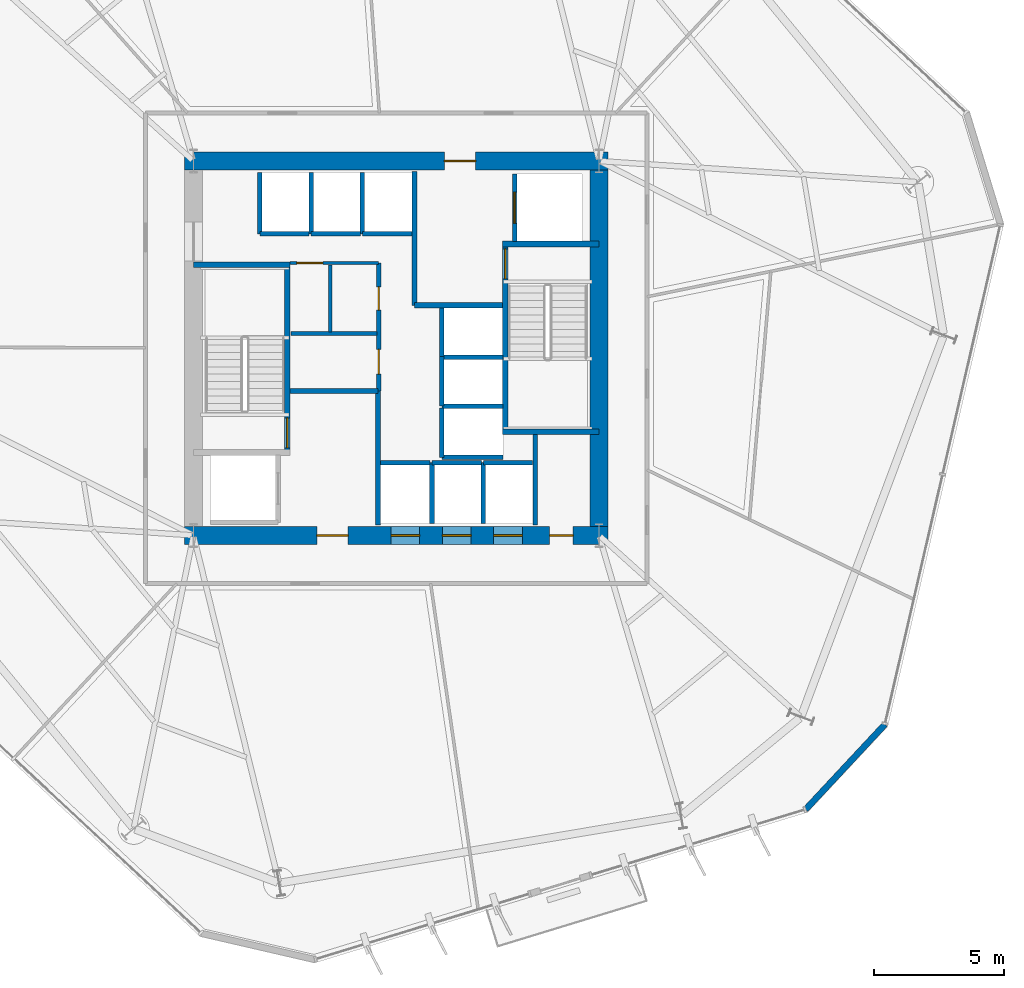
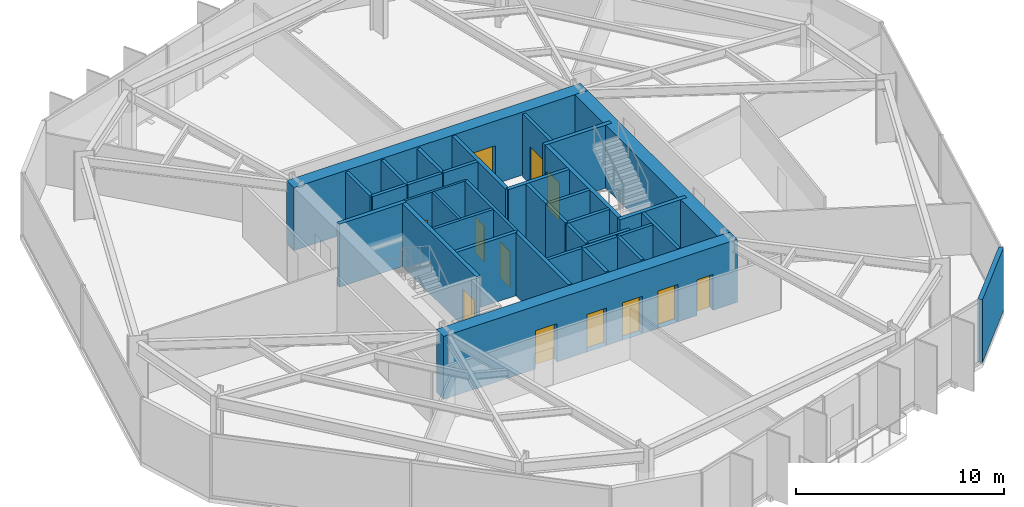
# One storey, part 6 of 9: 36 walls, 12 doors, 12 openings.
"""IFC4 building model written with IfcOpenShell, lengths in metres."""

import ifcopenshell
import ifcopenshell.guid

model = None  # the IFC model being written
_history = None  # IfcOwnerHistory: only IFC2X3 demands one
_inside = {}  # id of a spatial element -> (the spatial element, [elements in it])
_under = {}  # id of a project, library or spatial element -> (it, [spatial elements below it])
_declared = {}  # id of a project -> (the project, [libraries it declares])
_typed = {}  # id of a type object -> (the type object, [elements of that type])
_made_of = {}  # id of a material, layer set ... -> (it, [elements and type objects made of it])


def new_model(schema):
    """Start an empty IFC model of exactly this schema.

    Asked for "IFC4X3", IfcOpenShell would pick the latest addendum, in which some entities
    have other attributes; the version numbers below select the first issue.
    IFC2X3 requires an IfcOwnerHistory on every rooted entity: one is made here for all.
    """
    global model, _history
    if schema == "IFC4X3":
        model = ifcopenshell.file(schema_version=(4, 3, 0, 0))
    else:
        model = ifcopenshell.file(schema=schema)
    _inside.clear()
    _under.clear()
    _declared.clear()
    _typed.clear()
    _made_of.clear()
    _history = None
    if model.schema == "IFC2X3":
        org = make("IfcOrganization", Name="unknown")
        user = make(
            "IfcPersonAndOrganization",
            ThePerson=make("IfcPerson", FamilyName="unknown"),
            TheOrganization=org,
        )
        app = make(
            "IfcApplication",
            ApplicationDeveloper=org,
            Version="unknown",
            ApplicationFullName="unknown",
            ApplicationIdentifier="unknown",
        )
        _history = make(
            "IfcOwnerHistory",
            OwningUser=user,
            OwningApplication=app,
            ChangeAction="ADDED",
            CreationDate=0,
        )
    return model


def make(cls, **values):
    """One entity of the class cls with the attributes given. An attribute that is None is left unset."""
    return model.create_entity(
        cls, **{name: value for name, value in values.items() if value is not None}
    )


def rooted(cls, **values):
    """An entity with a GlobalId (a new one), such as an element, a storey or a relation."""
    return make(cls, GlobalId=ifcopenshell.guid.new(), OwnerHistory=_history, **values)


def si_unit(unit_type, name, prefix=None):
    """IfcSIUnit, for example si_unit("LENGTHUNIT", "METRE", prefix="MILLI")."""
    return make("IfcSIUnit", UnitType=unit_type, Prefix=prefix, Name=name)


def assignment(units):
    """IfcUnitAssignment: the units of a project."""
    return None if units is None else make("IfcUnitAssignment", Units=units)


def point(xyz):
    """IfcCartesianPoint."""
    return None if xyz is None else make("IfcCartesianPoint", Coordinates=xyz)


def direction(xyz):
    """IfcDirection."""
    return None if xyz is None else make("IfcDirection", DirectionRatios=xyz)


def frame(location, z_axis=None, x_axis=None):
    """IfcAxis2Placement3D, a coordinate frame: its origin and axes. An axis left out is left unset."""
    return make(
        "IfcAxis2Placement3D",
        Location=point(location),
        Axis=direction(z_axis),
        RefDirection=direction(x_axis),
    )


def frame_2d(location, x_axis=None):
    """IfcAxis2Placement2D, a coordinate frame in the plane: its origin and x axis."""
    return make(
        "IfcAxis2Placement2D", Location=point(location), RefDirection=direction(x_axis)
    )


def origin():
    """The frame at (0, 0, 0) with its axes left unset."""
    return frame((0.0, 0.0, 0.0))


def place(relative_to, where):
    """IfcLocalPlacement: puts the frame where relative to a parent placement (None: the world)."""
    return make(
        "IfcLocalPlacement", PlacementRelTo=relative_to, RelativePlacement=where
    )


def context(
    kind, dimensions, precision=None, world=None, true_north=None, identifier=None
):
    """IfcGeometricRepresentationContext, for example the 3D "Model" context."""
    return make(
        "IfcGeometricRepresentationContext",
        ContextIdentifier=identifier,
        ContextType=kind,
        CoordinateSpaceDimension=dimensions,
        Precision=precision,
        WorldCoordinateSystem=world,
        TrueNorth=true_north,
    )


def subcontext(parent, identifier, kind, view, scale=None):
    """IfcGeometricRepresentationSubContext, for example "Body" below "Model"."""
    return make(
        "IfcGeometricRepresentationSubContext",
        ContextIdentifier=identifier,
        ContextType=kind,
        ParentContext=parent,
        TargetScale=scale,
        TargetView=view,
    )


def project(units=None, contexts=None):
    """IfcProject with its units and contexts."""
    return rooted(
        "IfcProject",
        Name="project",
        RepresentationContexts=contexts,
        UnitsInContext=assignment(units),
    )


def spatial(cls, under=None, at=None, **own):
    """A site, building, storey or space (cls), placed at a placement, below another one or the project."""
    s = rooted(cls, ObjectPlacement=at, **own)
    if under is not None:
        _under.setdefault(under.id(), (under, []))[1].append(s)
    return s


def profile(cls, at=None, kind="AREA", **sizes):
    """A parametric profile (cls). Its sizes go by their IFC names, for example OverallWidth=200.0."""
    return make(cls, ProfileType=kind, Position=at, **sizes)


def rectangle(**sizes):
    """IfcRectangleProfileDef."""
    return profile("IfcRectangleProfileDef", **sizes)


def extrude(swept, where, along, depth):
    """IfcExtrudedAreaSolid: the profile swept, set in the frame where, extruded along a direction by depth."""
    return make(
        "IfcExtrudedAreaSolid",
        SweptArea=swept,
        Position=where,
        ExtrudedDirection=direction(along),
        Depth=depth,
    )


def shape(context_of_items, identifier, shape_type, items):
    """IfcShapeRepresentation: the items that make up one representation, for example the "Body"."""
    return make(
        "IfcShapeRepresentation",
        ContextOfItems=context_of_items,
        RepresentationIdentifier=identifier,
        RepresentationType=shape_type,
        Items=items,
    )


def material(Name=None, Category=None):
    """IfcMaterial."""
    return make("IfcMaterial", Name=Name, Category=Category)


def layer(
    of_material, thickness, ventilated=None, Name=None, Category=None, Priority=None
):
    """IfcMaterialLayer: one layer of a wall or slab, of a material (None: an air gap)."""
    return make(
        "IfcMaterialLayer",
        Material=of_material,
        LayerThickness=thickness,
        IsVentilated=ventilated,
        Name=Name,
        Category=Category,
        Priority=Priority,
    )


def layer_set(layers, Name=None):
    """IfcMaterialLayerSet."""
    return make("IfcMaterialLayerSet", MaterialLayers=layers, LayerSetName=Name)


def made_of(thing, what):
    """Note that an element or type object is made of a material, layer set ...; save() writes the relation."""
    if what is not None:
        _made_of.setdefault(what.id(), (what, []))[1].append(thing)
    return thing


def type_object(cls, material=None, **own):
    """A type object (cls), such as IfcWallType, which elements share."""
    return made_of(rooted(cls, **own), material)


def element(
    cls,
    number,
    at=None,
    inside=None,
    cuts=None,
    type_object=None,
    material=None,
    context=None,
    identifier="Body",
    shape_type=None,
    held_by="IfcProductDefinitionShape",
    body=None,
    shapes=None,
    **own,
):
    """One element of the class cls, such as IfcWall. Its Tag is "e" and its number.

    at: its placement. inside: the storey or other place that contains it. cuts: it is an
    opening in that element (IfcRelVoidsElement). A single representation is given by context,
    identifier, shape_type and body (its items); several are given by shapes. held_by: the class
    of the entity that holds the representations. save() writes the other relations.
    """
    e = rooted(cls, Tag="e%d" % number, ObjectPlacement=at, **own)
    if body is not None:
        shapes = [shape(context, identifier, shape_type, body)]
    if shapes is not None:
        e.Representation = make(held_by, Representations=shapes)
    if inside is not None:
        _inside.setdefault(inside.id(), (inside, []))[1].append(e)
    if cuts is not None:
        rooted(
            "IfcRelVoidsElement", RelatingBuildingElement=cuts, RelatedOpeningElement=e
        )
    if type_object is not None:
        _typed.setdefault(type_object.id(), (type_object, []))[1].append(e)
    return made_of(e, material)


def fill(opening, filler):
    """IfcRelFillsElement: the door or window that sits in an opening."""
    return rooted(
        "IfcRelFillsElement",
        RelatingOpeningElement=opening,
        RelatedBuildingElement=filler,
    )


def aggregate(whole, parts):
    """IfcRelAggregates: a whole, such as a stair, and the parts it consists of."""
    return rooted("IfcRelAggregates", RelatingObject=whole, RelatedObjects=parts)


def save(model, path):
    """Write the relations noted so far, then the file.

    IfcRelAggregates (storeys below a building ...), IfcRelContainedInSpatialStructure (elements
    in a storey), IfcRelDefinesByType, IfcRelAssociatesMaterial and IfcRelDeclares: one each for
    every whole, place, type object, material and project.
    """
    for whole, parts in _under.values():
        aggregate(whole, parts)
    for where, things in _inside.values():
        rooted(
            "IfcRelContainedInSpatialStructure",
            RelatedElements=things,
            RelatingStructure=where,
        )
    for kind, things in _typed.values():
        rooted("IfcRelDefinesByType", RelatedObjects=things, RelatingType=kind)
    for what, things in _made_of.values():
        rooted("IfcRelAssociatesMaterial", RelatedObjects=things, RelatingMaterial=what)
    for by, libraries in _declared.values():
        rooted("IfcRelDeclares", RelatingContext=by, RelatedDefinitions=libraries)
    model.write(path)


model = new_model("IFC4")

# Units and contexts
model_context = context("Model", 3, precision=1e-05, world=origin(), true_north=direction((0.0, 1.0)))
body_context = subcontext(model_context, "Body", "Model", "MODEL_VIEW")
ifc_project = project(units=[si_unit("LENGTHUNIT", "METRE"), si_unit("AREAUNIT", "SQUARE_METRE"), si_unit("VOLUMEUNIT", "CUBIC_METRE"), si_unit("PLANEANGLEUNIT", "RADIAN"), si_unit("MASSUNIT", "GRAM", prefix="KILO")], contexts=[model_context])

# Site, building, storey
site_placement = place(None, origin())
site = spatial("IfcSite", under=ifc_project, at=site_placement, CompositionType="ELEMENT")
building_placement = place(site_placement, origin())
building = spatial("IfcBuilding", under=site, at=building_placement, Name="Kranzbogen Civic Tower", CompositionType="ELEMENT")
storey_placement = place(building_placement, frame((0.0, 0.0, 88.0)))
storey = spatial("IfcBuildingStorey", under=building, at=storey_placement, Name="L21", CompositionType="ELEMENT", Elevation=88.0)

# Wall, opening, door
ifc_material_1 = material(Name="Insulated Metal-Stud Gypsum Partition")
ifc_layer_1 = layer(ifc_material_1, 0.125, Name="Insulated Metal-Stud Gypsum Partition")
ifc_layer_set_1 = layer_set([ifc_layer_1], Name="Insulated Metal-Stud Gypsum Partition")
wall_type_1 = type_object("IfcWallType", Name="Acoustic Inter-Room Partition 125 mm", PredefinedType="PARTITIONING", material=ifc_layer_set_1)
wall_1_placement = place(storey_placement, frame((20.919921875, 28.280029296875, 0.0), z_axis=(0.0, 0.0, 1.0), x_axis=(1.0, 0.0, 0.0)))
wall_1 = element("IfcWall", 1, at=wall_1_placement, inside=storey, type_object=wall_type_1, Name="L21 core auxiliary North wall", PredefinedType="PARTITIONING", context=body_context, shape_type="SweptSolid", body=[
    extrude(rectangle(XDim=3.405029296875, YDim=0.125, at=frame_2d((1.70263671875, 0.0))), origin(), (0.0, 0.0, 1.0), 3.699951171875),
])
opening_1_placement = place(wall_1_placement, frame((0.2548828125, 0.0, 0.0)))
opening_1 = element("IfcOpeningElement", 2, at=opening_1_placement, cuts=wall_1, Name="Opening D-RSR10", PredefinedType="OPENING", context=body_context, shape_type="SweptSolid", body=[
    extrude(rectangle(XDim=1.0, YDim=2.14990234375, at=frame_2d((0.5, 1.074951171875))), frame((0.0, 0.072509765625, 0.0), z_axis=(0.0, -1.0, 0.0), x_axis=(1.0, 0.0, 0.0)), (0.0, 0.0, 1.0), 0.14501953125),
])
ifc_material_2 = material(Name="Oak Timber and Fire Core", Category="wood")
door_type_1 = type_object("IfcDoorType", Name="Core Archive and Riser Fire Door 1000x2150", OperationType="NOTDEFINED", PredefinedType="DOOR", material=ifc_material_2)
door_1_placement = place(opening_1_placement, origin())
door_1 = element("IfcDoor", 3, at=door_1_placement, inside=storey, type_object=door_type_1, Name="L21 Telecom and Riser Room door", OperationType="SINGLE_SWING_RIGHT", OverallHeight=2.14990234375, OverallWidth=1.0, PredefinedType="DOOR", context=body_context, shape_type="SweptSolid", body=[
    extrude(rectangle(XDim=1.0, YDim=2.14990234375, at=frame_2d((0.5, 1.074951171875))), frame((0.0, 0.02490234375, 0.0), z_axis=(0.0, -1.0, 0.0), x_axis=(1.0, 0.0, 0.0)), (0.0, 0.0, 1.0), 0.050048828125),
])
fill(opening_1, door_1)

# Wall
wall_2_placement = place(storey_placement, frame((22.4599609375, 25.6201171875, 0.0), z_axis=(0.0, 0.0, 1.0), x_axis=(0.0, 1.0, 0.0)))
element("IfcWall", 4, at=wall_2_placement, inside=storey, type_object=wall_type_1, Name="L21 core auxiliary partition 2", PredefinedType="PARTITIONING", context=body_context, shape_type="SweptSolid", body=[
    extrude(rectangle(XDim=2.579833984375, YDim=0.125, at=frame_2d((1.2900390625, 0.0))), origin(), (0.0, 0.0, 1.0), 3.699951171875),
])

# Wall, openings, doors
ifc_material_3 = material(Name="Concrete C55/67", Category="concrete")
ifc_layer_2 = layer(ifc_material_3, 0.699951171875, Name="Concrete C55/67")
ifc_layer_set_2 = layer_set([ifc_layer_2], Name="Concrete C55/67")
wall_type_2 = type_object("IfcWallType", Name="Central Core Shear Wall 700 mm", PredefinedType="SHEAR", material=ifc_layer_set_2)
wall_3_placement = place(storey_placement, frame((16.85009765625, 17.800048828125, 0.0), z_axis=(0.0, 0.0, 1.0), x_axis=(1.0, 0.0, 0.0)))
wall_3 = element("IfcWall", 5, at=wall_3_placement, inside=storey, type_object=wall_type_2, Name="L21 central core South shear wall", PredefinedType="SHEAR", context=body_context, shape_type="SweptSolid", body=[
    extrude(rectangle(XDim=16.2998046875, YDim=0.699951171875, at=frame_2d((8.14990234375, 0.0))), origin(), (0.0, 0.0, 1.0), 3.699951171875),
])
opening_2_placement = place(wall_3_placement, frame((5.10009765625, 0.0, 0.0)))
opening_2 = element("IfcOpeningElement", 6, at=opening_2_placement, cuts=wall_3, Name="Opening D-EX120", PredefinedType="OPENING", context=body_context, shape_type="SweptSolid", body=[
    extrude(rectangle(XDim=1.199951171875, YDim=2.25, at=frame_2d((0.60009765625, 1.125))), frame((0.0, 0.35986328125, 0.0), z_axis=(0.0, -1.0, 0.0), x_axis=(1.0, 0.0, 0.0)), (0.0, 0.0, 1.0), 0.719970703125),
])
opening_3_placement = place(wall_3_placement, frame((14.050048828125, 0.0, 0.0)))
opening_3 = element("IfcOpeningElement", 7, at=opening_3_placement, cuts=wall_3, Name="Opening D-WC90", PredefinedType="OPENING", context=body_context, shape_type="SweptSolid", body=[
    extrude(rectangle(XDim=0.89990234375, YDim=2.10009765625, at=frame_2d((0.449951171875, 1.050048828125))), frame((0.0, 0.35986328125, 0.0), z_axis=(0.0, -1.0, 0.0), x_axis=(1.0, 0.0, 0.0)), (0.0, 0.0, 1.0), 0.719970703125),
])
opening_4_placement = place(wall_3_placement, frame((7.949951171875, 0.0, 0.0)))
opening_4 = element("IfcOpeningElement", 8, at=opening_4_placement, cuts=wall_3, Name="Opening LD-LP-01", PredefinedType="OPENING", context=body_context, shape_type="SweptSolid", body=[
    extrude(rectangle(XDim=1.10009765625, YDim=2.199951171875, at=frame_2d((0.550048828125, 1.10009765625))), frame((0.0, 0.35986328125, 0.0), z_axis=(0.0, -1.0, 0.0), x_axis=(1.0, 0.0, 0.0)), (0.0, 0.0, 1.0), 0.719970703125),
])
opening_5_placement = place(wall_3_placement, frame((9.925048828125, 0.0, 0.0)))
opening_5 = element("IfcOpeningElement", 9, at=opening_5_placement, cuts=wall_3, Name="Opening LD-LP-02", PredefinedType="OPENING", context=body_context, shape_type="SweptSolid", body=[
    extrude(rectangle(XDim=1.10009765625, YDim=2.199951171875, at=frame_2d((0.550048828125, 1.10009765625))), frame((0.0, 0.35986328125, 0.0), z_axis=(0.0, -1.0, 0.0), x_axis=(1.0, 0.0, 0.0)), (0.0, 0.0, 1.0), 0.719970703125),
])
opening_6_placement = place(wall_3_placement, frame((11.89990234375, 0.0, 0.0)))
opening_6 = element("IfcOpeningElement", 10, at=opening_6_placement, cuts=wall_3, Name="Opening LD-LP-03", PredefinedType="OPENING", context=body_context, shape_type="SweptSolid", body=[
    extrude(rectangle(XDim=1.10009765625, YDim=2.199951171875, at=frame_2d((0.550048828125, 1.10009765625))), frame((0.0, 0.35986328125, 0.0), z_axis=(0.0, -1.0, 0.0), x_axis=(1.0, 0.0, 0.0)), (0.0, 0.0, 1.0), 0.719970703125),
])
ifc_material_4 = material(Name="Steel S355", Category="steel")
door_type_2 = type_object("IfcDoorType", Name="Exit Passageway Fire Door 1200x2250", OperationType="NOTDEFINED", PredefinedType="DOOR", material=ifc_material_4)
door_2_placement = place(opening_2_placement, origin())
door_2 = element("IfcDoor", 11, at=door_2_placement, inside=storey, type_object=door_type_2, Name="L21 West firefighting lobby corridor door", OperationType="SINGLE_SWING_LEFT", OverallHeight=2.25, OverallWidth=1.199951171875, PredefinedType="DOOR", context=body_context, shape_type="SweptSolid", body=[
    extrude(rectangle(XDim=1.199951171875, YDim=2.25, at=frame_2d((0.60009765625, 1.125))), frame((0.0, 0.02490234375, 0.0), z_axis=(0.0, -1.0, 0.0), x_axis=(1.0, 0.0, 0.0)), (0.0, 0.0, 1.0), 0.050048828125),
])
fill(opening_2, door_2)
ifc_material_5 = material(Name="Pale Anodised Aluminium", Category="aluminium")
door_type_3 = type_object("IfcDoorType", Name="Passenger Lift Sliding Landing Door 1100x2200", OperationType="DOUBLE_DOOR_SLIDING", PredefinedType="DOOR", material=ifc_material_5)
door_3_placement = place(opening_4_placement, origin())
door_3 = element("IfcDoor", 12, at=door_3_placement, inside=storey, type_object=door_type_3, Name="L21 lift LP-01 sliding landing door", OperationType="DOUBLE_DOOR_SLIDING", OverallHeight=2.199951171875, OverallWidth=1.10009765625, PredefinedType="DOOR", context=body_context, shape_type="SweptSolid", body=[
    extrude(rectangle(XDim=1.10009765625, YDim=2.199951171875, at=frame_2d((0.550048828125, 1.10009765625))), frame((0.0, 0.02490234375, 0.0), z_axis=(0.0, -1.0, 0.0), x_axis=(1.0, 0.0, 0.0)), (0.0, 0.0, 1.0), 0.050048828125),
])
fill(opening_4, door_3)
door_4_placement = place(opening_5_placement, origin())
door_4 = element("IfcDoor", 13, at=door_4_placement, inside=storey, type_object=door_type_3, Name="L21 lift LP-02 sliding landing door", OperationType="DOUBLE_DOOR_SLIDING", OverallHeight=2.199951171875, OverallWidth=1.10009765625, PredefinedType="DOOR", context=body_context, shape_type="SweptSolid", body=[
    extrude(rectangle(XDim=1.10009765625, YDim=2.199951171875, at=frame_2d((0.550048828125, 1.10009765625))), frame((0.0, 0.02490234375, 0.0), z_axis=(0.0, -1.0, 0.0), x_axis=(1.0, 0.0, 0.0)), (0.0, 0.0, 1.0), 0.050048828125),
])
fill(opening_5, door_4)
door_5_placement = place(opening_6_placement, origin())
door_5 = element("IfcDoor", 14, at=door_5_placement, inside=storey, type_object=door_type_3, Name="L21 lift LP-03 sliding landing door", OperationType="DOUBLE_DOOR_SLIDING", OverallHeight=2.199951171875, OverallWidth=1.10009765625, PredefinedType="DOOR", context=body_context, shape_type="SweptSolid", body=[
    extrude(rectangle(XDim=1.10009765625, YDim=2.199951171875, at=frame_2d((0.550048828125, 1.10009765625))), frame((0.0, 0.02490234375, 0.0), z_axis=(0.0, -1.0, 0.0), x_axis=(1.0, 0.0, 0.0)), (0.0, 0.0, 1.0), 0.050048828125),
])
fill(opening_6, door_5)
ifc_material_6 = material(Name="Moisture-Resistant Laminate")
door_type_4 = type_object("IfcDoorType", Name="Standard Restroom and Store Door 900x2100", OperationType="NOTDEFINED", PredefinedType="DOOR", material=ifc_material_6)
door_6_placement = place(opening_3_placement, origin())
door_6 = element("IfcDoor", 15, at=door_6_placement, inside=storey, type_object=door_type_4, Name="L21 East electrical riser access door", OperationType="SINGLE_SWING_RIGHT", OverallHeight=2.10009765625, OverallWidth=0.89990234375, PredefinedType="DOOR", context=body_context, shape_type="SweptSolid", body=[
    extrude(rectangle(XDim=0.89990234375, YDim=2.10009765625, at=frame_2d((0.449951171875, 1.050048828125))), frame((0.0, 0.02490234375, 0.0), z_axis=(0.0, -1.0, 0.0), x_axis=(1.0, 0.0, 0.0)), (0.0, 0.0, 1.0), 0.050048828125),
])
fill(opening_3, door_6)

# Wall, opening, door
wall_4_placement = place(storey_placement, frame((33.14990234375, 32.199951171875, 0.0), z_axis=(0.0, 0.0, 1.0), x_axis=(-1.0, 0.0, 0.0)))
wall_4 = element("IfcWall", 16, at=wall_4_placement, inside=storey, type_object=wall_type_2, Name="L21 central core North shear wall", PredefinedType="SHEAR", context=body_context, shape_type="SweptSolid", body=[
    extrude(rectangle(XDim=16.2998046875, YDim=0.699951171875, at=frame_2d((8.14990234375, 0.0))), origin(), (0.0, 0.0, 1.0), 3.699951171875),
])
opening_7_placement = place(wall_4_placement, frame((5.10009765625, 0.0, 0.0)))
opening_7 = element("IfcOpeningElement", 17, at=opening_7_placement, cuts=wall_4, Name="Opening D-EX120", PredefinedType="OPENING", context=body_context, shape_type="SweptSolid", body=[
    extrude(rectangle(XDim=1.199951171875, YDim=2.25, at=frame_2d((0.60009765625, 1.125))), frame((0.0, 0.35986328125, 0.0), z_axis=(0.0, -1.0, 0.0), x_axis=(1.0, 0.0, 0.0)), (0.0, 0.0, 1.0), 0.719970703125),
])
door_7_placement = place(opening_7_placement, origin())
door_7 = element("IfcDoor", 18, at=door_7_placement, inside=storey, type_object=door_type_2, Name="L21 East firefighting lobby corridor door", OperationType="SINGLE_SWING_RIGHT", OverallHeight=2.25, OverallWidth=1.199951171875, PredefinedType="DOOR", context=body_context, shape_type="SweptSolid", body=[
    extrude(rectangle(XDim=1.199951171875, YDim=2.25, at=frame_2d((0.60009765625, 1.125))), frame((0.0, 0.02490234375, 0.0), z_axis=(0.0, -1.0, 0.0), x_axis=(1.0, 0.0, 0.0)), (0.0, 0.0, 1.0), 0.050048828125),
])
fill(opening_7, door_7)

# Wall
wall_5_placement = place(storey_placement, frame((32.800048828125, 18.14990234375, 0.0), z_axis=(0.0, 0.0, 1.0), x_axis=(0.0, 1.0, 0.0)))
element("IfcWall", 19, at=wall_5_placement, inside=storey, type_object=wall_type_2, Name="L21 central core East shear wall", PredefinedType="SHEAR", context=body_context, shape_type="SweptSolid", body=[
    extrude(rectangle(XDim=13.7001953125, YDim=0.699951171875, at=frame_2d((6.85009765625, 0.0))), origin(), (0.0, 0.0, 1.0), 3.699951171875),
])

# Wall, opening, door
ifc_material_7 = material(Name="Concrete C45/55", Category="concrete")
ifc_layer_3 = layer(ifc_material_7, 0.219970703125, Name="Concrete C45/55")
ifc_layer_set_3 = layer_set([ifc_layer_3], Name="Concrete C45/55")
wall_type_3 = type_object("IfcWallType", Name="Core Internal Stair Structural Wall 220 mm", PredefinedType="SOLIDWALL", material=ifc_layer_set_3)
wall_6_placement = place(storey_placement, frame((20.81005859375, 20.989990234375, 0.0), z_axis=(0.0, 0.0, 1.0), x_axis=(0.0, 1.0, 0.0)))
wall_6 = element("IfcWall", 20, at=wall_6_placement, inside=storey, type_object=wall_type_3, Name="L21 ST-T1 East structural stair wall", PredefinedType="SOLIDWALL", context=body_context, shape_type="SweptSolid", body=[
    extrude(rectangle(XDim=7.219970703125, YDim=0.219970703125, at=frame_2d((3.60986328125, 0.0))), origin(), (0.0, 0.0, 1.0), 3.699951171875),
])
opening_8_placement = place(wall_6_placement, frame((0.179931640625, 0.0, 0.0)))
opening_8 = element("IfcOpeningElement", 21, at=opening_8_placement, cuts=wall_6, Name="Opening D-ST90", PredefinedType="OPENING", context=body_context, shape_type="SweptSolid", body=[
    extrude(rectangle(XDim=1.14990234375, YDim=2.199951171875, at=frame_2d((0.574951171875, 1.10009765625))), frame((0.0, 0.1201171875, 0.0), z_axis=(0.0, -1.0, 0.0), x_axis=(1.0, 0.0, 0.0)), (0.0, 0.0, 1.0), 0.239990234375),
])
door_type_5 = type_object("IfcDoorType", Name="Pressurized Stair and Lobby Fire Door 1150x2200", OperationType="NOTDEFINED", PredefinedType="DOOR", material=ifc_material_4)
door_8_placement = place(opening_8_placement, origin())
door_8 = element("IfcDoor", 22, at=door_8_placement, inside=storey, type_object=door_type_5, Name="L21 Stair ST-T1 fire door", OperationType="SINGLE_SWING_LEFT", OverallHeight=2.199951171875, OverallWidth=1.14990234375, PredefinedType="DOOR", context=body_context, shape_type="SweptSolid", body=[
    extrude(rectangle(XDim=1.14990234375, YDim=2.199951171875, at=frame_2d((0.574951171875, 1.10009765625))), frame((0.0, 0.02490234375, 0.0), z_axis=(0.0, -1.0, 0.0), x_axis=(1.0, 0.0, 0.0)), (0.0, 0.0, 1.0), 0.050048828125),
])
fill(opening_8, door_8)

# Wall
wall_7_placement = place(storey_placement, frame((17.199951171875, 28.2099609375, 0.0), z_axis=(0.0, 0.0, 1.0), x_axis=(1.0, 0.0, 0.0)))
element("IfcWall", 23, at=wall_7_placement, inside=storey, type_object=wall_type_3, Name="L21 ST-T1 North structural stair wall", PredefinedType="SOLIDWALL", context=body_context, shape_type="SweptSolid", body=[
    extrude(rectangle(XDim=3.719970703125, YDim=0.219970703125, at=frame_2d((1.85986328125, 0.0))), origin(), (0.0, 0.0, 1.0), 3.699951171875),
])

# Wall, opening, door
wall_8_placement = place(storey_placement, frame((29.18994140625, 21.7900390625, 0.0), z_axis=(0.0, 0.0, 1.0), x_axis=(0.0, 1.0, 0.0)))
wall_8 = element("IfcWall", 24, at=wall_8_placement, inside=storey, type_object=wall_type_3, Name="L21 ST-T2 West structural stair wall", PredefinedType="SOLIDWALL", context=body_context, shape_type="SweptSolid", body=[
    extrude(rectangle(XDim=7.219970703125, YDim=0.219970703125, at=frame_2d((3.60986328125, 0.0))), origin(), (0.0, 0.0, 1.0), 3.699951171875),
])
opening_9_placement = place(wall_8_placement, frame((5.8798828125, 0.0, 0.0)))
opening_9 = element("IfcOpeningElement", 25, at=opening_9_placement, cuts=wall_8, Name="Opening D-ST90", PredefinedType="OPENING", context=body_context, shape_type="SweptSolid", body=[
    extrude(rectangle(XDim=1.14990234375, YDim=2.199951171875, at=frame_2d((0.574951171875, 1.10009765625))), frame((0.0, 0.1201171875, 0.0), z_axis=(0.0, -1.0, 0.0), x_axis=(1.0, 0.0, 0.0)), (0.0, 0.0, 1.0), 0.239990234375),
])
door_9_placement = place(opening_9_placement, origin())
door_9 = element("IfcDoor", 26, at=door_9_placement, inside=storey, type_object=door_type_5, Name="L21 Stair ST-T2 fire door", OperationType="SINGLE_SWING_RIGHT", OverallHeight=2.199951171875, OverallWidth=1.14990234375, PredefinedType="DOOR", context=body_context, shape_type="SweptSolid", body=[
    extrude(rectangle(XDim=1.14990234375, YDim=2.199951171875, at=frame_2d((0.574951171875, 1.10009765625))), frame((0.0, 0.02490234375, 0.0), z_axis=(0.0, -1.0, 0.0), x_axis=(1.0, 0.0, 0.0)), (0.0, 0.0, 1.0), 0.050048828125),
])
fill(opening_9, door_9)

# Walls
for number, where, z_axis, x_axis, name in (
    (27, (29.080078125, 21.7900390625, 0.0), (0.0, 0.0, 1.0), (1.0, 0.0, 0.0), "L21 ST-T2 South structural stair wall"),
    (28, (29.080078125, 29.010009765625, 0.0), (0.0, 0.0, 1.0), (1.0, 0.0, 0.0), "L21 ST-T2 North structural stair wall"),
):
    element("IfcWall", number, at=place(storey_placement, frame(where, z_axis=z_axis, x_axis=x_axis)), inside=storey, type_object=wall_type_3, Name=name, PredefinedType="SOLIDWALL", context=body_context, shape_type="SweptSolid", body=[
        extrude(rectangle(XDim=3.719970703125, YDim=0.219970703125, at=frame_2d((1.85986328125, 0.0))), origin(), (0.0, 0.0, 1.0), 3.699951171875),
    ])
ifc_material_8 = material(Name="Gypsum Fireboard and Concrete Block", Category="concrete")
ifc_layer_4 = layer(ifc_material_8, 0.199951171875, Name="Gypsum Fireboard and Concrete Block")
ifc_layer_set_4 = layer_set([ifc_layer_4], Name="Gypsum Fireboard and Concrete Block")
wall_type_4 = type_object("IfcWallType", Name="Fire-Rated Exit Passageway and Stair Wall 200 mm", PredefinedType="PARTITIONING", material=ifc_layer_set_4)
wall_9_placement = place(storey_placement, frame((24.300048828125, 18.199951171875, 0.0), z_axis=(0.0, 0.0, 1.0), x_axis=(0.0, 1.0, 0.0)))
element("IfcWall", 29, at=wall_9_placement, inside=storey, type_object=wall_type_4, Name="L21 West firefighting lobby East wall", PredefinedType="PARTITIONING", context=body_context, shape_type="SweptSolid", body=[
    extrude(rectangle(XDim=5.150146484375, YDim=0.199951171875, at=frame_2d((2.5751953125, 0.0))), origin(), (0.0, 0.0, 1.0), 3.699951171875),
])
wall_10_placement = place(storey_placement, frame((20.919921875, 23.35009765625, 0.0), z_axis=(0.0, 0.0, 1.0), x_axis=(1.0, 0.0, 0.0)))
element("IfcWall", 30, at=wall_10_placement, inside=storey, type_object=wall_type_4, Name="L21 West firefighting lobby North wall", PredefinedType="PARTITIONING", context=body_context, shape_type="SweptSolid", body=[
    extrude(rectangle(XDim=3.380126953125, YDim=0.199951171875, at=frame_2d((1.68994140625, 0.0))), origin(), (0.0, 0.0, 1.0), 3.699951171875),
])
wall_11_placement = place(storey_placement, frame((25.699951171875, 26.64990234375, 0.0), z_axis=(0.0, 0.0, 1.0), x_axis=(0.0, 1.0, 0.0)))
element("IfcWall", 31, at=wall_11_placement, inside=storey, type_object=wall_type_4, Name="L21 East firefighting lobby West wall", PredefinedType="PARTITIONING", context=body_context, shape_type="SweptSolid", body=[
    extrude(rectangle(XDim=5.150146484375, YDim=0.199951171875, at=frame_2d((2.5751953125, 0.0))), origin(), (0.0, 0.0, 1.0), 3.699951171875),
])
wall_12_placement = place(storey_placement, frame((25.699951171875, 26.64990234375, 0.0), z_axis=(0.0, 0.0, 1.0), x_axis=(1.0, 0.0, 0.0)))
element("IfcWall", 32, at=wall_12_placement, inside=storey, type_object=wall_type_4, Name="L21 East firefighting lobby South wall", PredefinedType="PARTITIONING", context=body_context, shape_type="SweptSolid", body=[
    extrude(rectangle(XDim=3.380126953125, YDim=0.199951171875, at=frame_2d((1.68994140625, 0.0))), origin(), (0.0, 0.0, 1.0), 3.699951171875),
])
ifc_material_9 = material(Name="Gypsum Fireboard Shaftliner")
ifc_layer_5 = layer(ifc_material_9, 0.175048828125, Name="Gypsum Fireboard Shaftliner")
ifc_layer_set_5 = layer_set([ifc_layer_5], Name="Gypsum Fireboard Shaftliner")
wall_type_5 = type_object("IfcWallType", Name="Fire-Rated Lift and Service Shaft Wall 175 mm", PredefinedType="PARTITIONING", material=ifc_layer_set_5)
wall_13_placement = place(storey_placement, frame((30.35009765625, 18.199951171875, 0.0), z_axis=(0.0, 0.0, 1.0), x_axis=(0.0, 1.0, 0.0)))
element("IfcWall", 33, at=wall_13_placement, inside=storey, type_object=wall_type_5, Name="L21 East core riser West wall", PredefinedType="PARTITIONING", context=body_context, shape_type="SweptSolid", body=[
    extrude(rectangle(XDim=3.47998046875, YDim=0.175048828125, at=frame_2d((1.739990234375, 0.0))), origin(), (0.0, 0.0, 1.0), 3.699951171875),
])
wall_14_placement = place(storey_placement, frame((24.39990234375, 20.60009765625, 0.0), z_axis=(0.0, 0.0, 1.0), x_axis=(1.0, 0.0, 0.0)))
element("IfcWall", 34, at=wall_14_placement, inside=storey, type_object=wall_type_5, Name="L21 lift LP-01 rear wall", PredefinedType="PARTITIONING", context=body_context, shape_type="SweptSolid", body=[
    extrude(rectangle(XDim=1.900146484375, YDim=0.175048828125, at=frame_2d((0.9501953125, 0.0))), origin(), (0.0, 0.0, 1.0), 3.699951171875),
])
wall_15_placement = place(storey_placement, frame((26.375, 20.60009765625, 0.0), z_axis=(0.0, 0.0, 1.0), x_axis=(1.0, 0.0, 0.0)))
element("IfcWall", 35, at=wall_15_placement, inside=storey, type_object=wall_type_5, Name="L21 lift LP-02 rear wall", PredefinedType="PARTITIONING", context=body_context, shape_type="SweptSolid", body=[
    extrude(rectangle(XDim=1.89990234375, YDim=0.175048828125, at=frame_2d((0.949951171875, 0.0))), origin(), (0.0, 0.0, 1.0), 3.699951171875),
])
wall_16_placement = place(storey_placement, frame((26.375, 18.25, 0.0), z_axis=(0.0, 0.0, 1.0), x_axis=(0.0, 1.0, 0.0)))
element("IfcWall", 36, at=wall_16_placement, inside=storey, type_object=wall_type_5, Name="L21 lift LP-02 side wall", PredefinedType="PARTITIONING", context=body_context, shape_type="SweptSolid", body=[
    extrude(rectangle(XDim=2.35009765625, YDim=0.175048828125, at=frame_2d((1.175048828125, 0.0))), origin(), (0.0, 0.0, 1.0), 3.699951171875),
])
wall_17_placement = place(storey_placement, frame((28.35009765625, 20.60009765625, 0.0), z_axis=(0.0, 0.0, 1.0), x_axis=(1.0, 0.0, 0.0)))
element("IfcWall", 37, at=wall_17_placement, inside=storey, type_object=wall_type_5, Name="L21 lift LP-03 rear wall", PredefinedType="PARTITIONING", context=body_context, shape_type="SweptSolid", body=[
    extrude(rectangle(XDim=1.89990234375, YDim=0.175048828125, at=frame_2d((0.949951171875, 0.0))), origin(), (0.0, 0.0, 1.0), 3.699951171875),
])
wall_18_placement = place(storey_placement, frame((28.35009765625, 18.25, 0.0), z_axis=(0.0, 0.0, 1.0), x_axis=(0.0, 1.0, 0.0)))
element("IfcWall", 38, at=wall_18_placement, inside=storey, type_object=wall_type_5, Name="L21 lift LP-03 side wall", PredefinedType="PARTITIONING", context=body_context, shape_type="SweptSolid", body=[
    extrude(rectangle(XDim=2.35009765625, YDim=0.175048828125, at=frame_2d((1.175048828125, 0.0))), origin(), (0.0, 0.0, 1.0), 3.699951171875),
])
wall_19_placement = place(storey_placement, frame((19.75, 29.39990234375, 0.0), z_axis=(0.0, 0.0, 1.0), x_axis=(1.0, 0.0, 0.0)))
element("IfcWall", 39, at=wall_19_placement, inside=storey, type_object=wall_type_5, Name="L21 lift MP-01 rear wall", PredefinedType="PARTITIONING", context=body_context, shape_type="SweptSolid", body=[
    extrude(rectangle(XDim=1.89990234375, YDim=0.175048828125, at=frame_2d((0.949951171875, 0.0))), origin(), (0.0, 0.0, 1.0), 3.699951171875),
])
wall_20_placement = place(storey_placement, frame((19.75, 29.39990234375, 0.0), z_axis=(0.0, 0.0, 1.0), x_axis=(0.0, 1.0, 0.0)))
element("IfcWall", 40, at=wall_20_placement, inside=storey, type_object=wall_type_5, Name="L21 lift MP-01 side wall", PredefinedType="PARTITIONING", context=body_context, shape_type="SweptSolid", body=[
    extrude(rectangle(XDim=2.35009765625, YDim=0.175048828125, at=frame_2d((1.175048828125, 0.0))), origin(), (0.0, 0.0, 1.0), 3.699951171875),
])
wall_21_placement = place(storey_placement, frame((21.72509765625, 29.39990234375, 0.0), z_axis=(0.0, 0.0, 1.0), x_axis=(1.0, 0.0, 0.0)))
element("IfcWall", 41, at=wall_21_placement, inside=storey, type_object=wall_type_5, Name="L21 lift MP-02 rear wall", PredefinedType="PARTITIONING", context=body_context, shape_type="SweptSolid", body=[
    extrude(rectangle(XDim=1.89990234375, YDim=0.175048828125, at=frame_2d((0.949951171875, 0.0))), origin(), (0.0, 0.0, 1.0), 3.699951171875),
])
wall_22_placement = place(storey_placement, frame((21.72509765625, 29.39990234375, 0.0), z_axis=(0.0, 0.0, 1.0), x_axis=(0.0, 1.0, 0.0)))
element("IfcWall", 42, at=wall_22_placement, inside=storey, type_object=wall_type_5, Name="L21 lift MP-02 side wall", PredefinedType="PARTITIONING", context=body_context, shape_type="SweptSolid", body=[
    extrude(rectangle(XDim=2.35009765625, YDim=0.175048828125, at=frame_2d((1.175048828125, 0.0))), origin(), (0.0, 0.0, 1.0), 3.699951171875),
])
wall_23_placement = place(storey_placement, frame((23.699951171875, 29.39990234375, 0.0), z_axis=(0.0, 0.0, 1.0), x_axis=(1.0, 0.0, 0.0)))
element("IfcWall", 43, at=wall_23_placement, inside=storey, type_object=wall_type_5, Name="L21 lift MP-03 rear wall", PredefinedType="PARTITIONING", context=body_context, shape_type="SweptSolid", body=[
    extrude(rectangle(XDim=1.900146484375, YDim=0.175048828125, at=frame_2d((0.9501953125, 0.0))), origin(), (0.0, 0.0, 1.0), 3.699951171875),
])
wall_24_placement = place(storey_placement, frame((23.699951171875, 29.39990234375, 0.0), z_axis=(0.0, 0.0, 1.0), x_axis=(0.0, 1.0, 0.0)))
element("IfcWall", 44, at=wall_24_placement, inside=storey, type_object=wall_type_5, Name="L21 lift MP-03 side wall", PredefinedType="PARTITIONING", context=body_context, shape_type="SweptSolid", body=[
    extrude(rectangle(XDim=2.35009765625, YDim=0.175048828125, at=frame_2d((1.175048828125, 0.0))), origin(), (0.0, 0.0, 1.0), 3.699951171875),
])
wall_25_placement = place(storey_placement, frame((26.75, 20.800048828125, 0.0), z_axis=(0.0, 0.0, 1.0), x_axis=(0.0, 1.0, 0.0)))
element("IfcWall", 45, at=wall_25_placement, inside=storey, type_object=wall_type_5, Name="L21 lift HP-01 landing wall", PredefinedType="PARTITIONING", context=body_context, shape_type="SweptSolid", body=[
    extrude(rectangle(XDim=1.89990234375, YDim=0.175048828125, at=frame_2d((0.949951171875, 0.0))), origin(), (0.0, 0.0, 1.0), 3.699951171875),
])
wall_26_placement = place(storey_placement, frame((26.75, 20.800048828125, 0.0), z_axis=(0.0, 0.0, 1.0), x_axis=(1.0, 0.0, 0.0)))
element("IfcWall", 46, at=wall_26_placement, inside=storey, type_object=wall_type_5, Name="L21 lift HP-01 side wall", PredefinedType="PARTITIONING", context=body_context, shape_type="SweptSolid", body=[
    extrude(rectangle(XDim=2.35009765625, YDim=0.175048828125, at=frame_2d((1.175048828125, 0.0))), origin(), (0.0, 0.0, 1.0), 3.699951171875),
])
wall_27_placement = place(storey_placement, frame((26.75, 22.77490234375, 0.0), z_axis=(0.0, 0.0, 1.0), x_axis=(0.0, 1.0, 0.0)))
element("IfcWall", 47, at=wall_27_placement, inside=storey, type_object=wall_type_5, Name="L21 lift HP-02 landing wall", PredefinedType="PARTITIONING", context=body_context, shape_type="SweptSolid", body=[
    extrude(rectangle(XDim=1.900146484375, YDim=0.175048828125, at=frame_2d((0.9501953125, 0.0))), origin(), (0.0, 0.0, 1.0), 3.699951171875),
])
wall_28_placement = place(storey_placement, frame((26.75, 22.77490234375, 0.0), z_axis=(0.0, 0.0, 1.0), x_axis=(1.0, 0.0, 0.0)))
element("IfcWall", 48, at=wall_28_placement, inside=storey, type_object=wall_type_5, Name="L21 lift HP-02 side wall", PredefinedType="PARTITIONING", context=body_context, shape_type="SweptSolid", body=[
    extrude(rectangle(XDim=2.35009765625, YDim=0.175048828125, at=frame_2d((1.175048828125, 0.0))), origin(), (0.0, 0.0, 1.0), 3.699951171875),
])
wall_29_placement = place(storey_placement, frame((26.75, 24.64990234375, 0.0), z_axis=(0.0, 0.0, 1.0), x_axis=(0.0, 1.0, 0.0)))
element("IfcWall", 49, at=wall_29_placement, inside=storey, type_object=wall_type_5, Name="L21 lift HP-03 landing wall", PredefinedType="PARTITIONING", context=body_context, shape_type="SweptSolid", body=[
    extrude(rectangle(XDim=1.900146484375, YDim=0.175048828125, at=frame_2d((0.9501953125, 0.0))), origin(), (0.0, 0.0, 1.0), 3.699951171875),
])
wall_30_placement = place(storey_placement, frame((26.75, 24.64990234375, 0.0), z_axis=(0.0, 0.0, 1.0), x_axis=(1.0, 0.0, 0.0)))
element("IfcWall", 50, at=wall_30_placement, inside=storey, type_object=wall_type_5, Name="L21 lift HP-03 side wall", PredefinedType="PARTITIONING", context=body_context, shape_type="SweptSolid", body=[
    extrude(rectangle(XDim=2.35009765625, YDim=0.175048828125, at=frame_2d((1.175048828125, 0.0))), origin(), (0.0, 0.0, 1.0), 3.699951171875),
])

# Wall, opening, door
wall_31_placement = place(storey_placement, frame((29.550048828125, 29.10009765625, 0.0), z_axis=(0.0, 0.0, 1.0), x_axis=(0.0, 1.0, 0.0)))
wall_31 = element("IfcWall", 51, at=wall_31_placement, inside=storey, type_object=wall_type_5, Name="L21 lift FF-02 landing wall", PredefinedType="PARTITIONING", context=body_context, shape_type="SweptSolid", body=[
    extrude(rectangle(XDim=2.599853515625, YDim=0.175048828125, at=frame_2d((1.2998046875, 0.0))), origin(), (0.0, 0.0, 1.0), 3.699951171875),
])
opening_10_placement = place(wall_31_placement, frame((0.699951171875, 0.0, 0.0)))
opening_10 = element("IfcOpeningElement", 52, at=opening_10_placement, cuts=wall_31, Name="Opening LD-FF-02", PredefinedType="OPENING", context=body_context, shape_type="SweptSolid", body=[
    extrude(rectangle(XDim=1.199951171875, YDim=2.199951171875, at=frame_2d((0.60009765625, 1.10009765625))), frame((0.0, 0.09765625, 0.0), z_axis=(0.0, -1.0, 0.0), x_axis=(1.0, 0.0, 0.0)), (0.0, 0.0, 1.0), 0.195068359375),
])
door_type_6 = type_object("IfcDoorType", Name="Firefighting and Stretcher Lift Sliding Landing Door 1200x2200", OperationType="DOUBLE_DOOR_SLIDING", PredefinedType="DOOR", material=ifc_material_5)
door_10_placement = place(opening_10_placement, origin())
door_10 = element("IfcDoor", 53, at=door_10_placement, inside=storey, type_object=door_type_6, Name="L21 lift FF-02 sliding landing door", OperationType="DOUBLE_DOOR_SLIDING", OverallHeight=2.199951171875, OverallWidth=1.199951171875, PredefinedType="DOOR", context=body_context, shape_type="SweptSolid", body=[
    extrude(rectangle(XDim=1.199951171875, YDim=2.199951171875, at=frame_2d((0.60009765625, 1.10009765625))), frame((0.0, 0.02490234375, 0.0), z_axis=(0.0, -1.0, 0.0), x_axis=(1.0, 0.0, 0.0)), (0.0, 0.0, 1.0), 0.050048828125),
])
fill(opening_10, door_10)

# Wall
ifc_layer_6 = layer(ifc_material_5, 0.239990234375, Name="Pale Anodised Aluminium")
ifc_layer_set_6 = layer_set([ifc_layer_6], Name="Pale Anodised Aluminium")
wall_type_6 = type_object("IfcWallType", Name="Insulated Aluminium Facade Portal Wall 240 mm", PredefinedType="STANDARD", material=ifc_layer_set_6)
wall_32_placement = place(storey_placement, frame((40.748046875, 7.257080078125, 0.0), z_axis=(0.0, 0.0, 1.0), x_axis=(0.682090691133, 0.731267590606, 0.0)))
element("IfcWall", 54, at=wall_32_placement, inside=storey, type_object=wall_type_6, Name="L21 chamfered corner facade spandrel 5", PredefinedType="STANDARD", context=body_context, shape_type="SweptSolid", body=[
    extrude(rectangle(XDim=4.47314453125, YDim=0.239990234375, at=frame_2d((2.236572265625, 0.0))), origin(), (0.0, 0.0, 1.0), 3.699951171875),
])

# Wall, openings, doors
ifc_material_10 = material(Name="Moisture-Resistant Gypsum Assembly")
ifc_layer_7 = layer(ifc_material_10, 0.159912109375, Name="Moisture-Resistant Gypsum Assembly")
ifc_layer_set_7 = layer_set([ifc_layer_7], Name="Moisture-Resistant Gypsum Assembly")
wall_type_7 = type_object("IfcWallType", Name="Sanitary and Plumbing Wet Wall 160 mm", PredefinedType="PLUMBINGWALL", material=ifc_layer_set_7)
wall_33_placement = place(storey_placement, frame((24.324951171875, 23.35009765625, 0.0), z_axis=(0.0, 0.0, 1.0), x_axis=(0.0, 1.0, 0.0)))
wall_33 = element("IfcWall", 55, at=wall_33_placement, inside=storey, type_object=wall_type_7, Name="L21 core auxiliary East wall", PredefinedType="PLUMBINGWALL", context=body_context, shape_type="SweptSolid", body=[
    extrude(rectangle(XDim=4.929931640625, YDim=0.159912109375, at=frame_2d((2.46484375, 0.0))), origin(), (0.0, 0.0, 1.0), 3.699951171875),
])
opening_11_placement = place(wall_33_placement, frame((0.64990234375, 0.0, 0.0)))
opening_11 = element("IfcOpeningElement", 56, at=opening_11_placement, cuts=wall_33, Name="Opening D-AWC95", PredefinedType="OPENING", context=body_context, shape_type="SweptSolid", body=[
    extrude(rectangle(XDim=0.949951171875, YDim=2.10009765625, at=frame_2d((0.47509765625, 1.050048828125))), frame((0.0, 0.08984375, 0.0), z_axis=(0.0, -1.0, 0.0), x_axis=(1.0, 0.0, 0.0)), (0.0, 0.0, 1.0), 0.179931640625),
])
opening_12_placement = place(wall_33_placement, frame((3.110107421875, 0.0, 0.0)))
opening_12 = element("IfcOpeningElement", 57, at=opening_12_placement, cuts=wall_33, Name="Opening D-WC90", PredefinedType="OPENING", context=body_context, shape_type="SweptSolid", body=[
    extrude(rectangle(XDim=0.89990234375, YDim=2.10009765625, at=frame_2d((0.449951171875, 1.050048828125))), frame((0.0, 0.08984375, 0.0), z_axis=(0.0, -1.0, 0.0), x_axis=(1.0, 0.0, 0.0)), (0.0, 0.0, 1.0), 0.179931640625),
])
door_type_7 = type_object("IfcDoorType", Name="Accessible Restroom Door 950x2100", OperationType="NOTDEFINED", PredefinedType="DOOR", material=ifc_material_6)
door_11_placement = place(opening_11_placement, origin())
door_11 = element("IfcDoor", 58, at=door_11_placement, inside=storey, type_object=door_type_7, Name="L21 Accessible Restroom door", OperationType="SINGLE_SWING_LEFT", OverallHeight=2.10009765625, OverallWidth=0.949951171875, PredefinedType="DOOR", context=body_context, shape_type="SweptSolid", body=[
    extrude(rectangle(XDim=0.949951171875, YDim=2.10009765625, at=frame_2d((0.47509765625, 1.050048828125))), frame((0.0, 0.02490234375, 0.0), z_axis=(0.0, -1.0, 0.0), x_axis=(1.0, 0.0, 0.0)), (0.0, 0.0, 1.0), 0.050048828125),
])
fill(opening_11, door_11)
door_12_placement = place(opening_12_placement, origin())
door_12 = element("IfcDoor", 59, at=door_12_placement, inside=storey, type_object=door_type_4, Name="L21 Staff Restroom door", OperationType="SINGLE_SWING_LEFT", OverallHeight=2.10009765625, OverallWidth=0.89990234375, PredefinedType="DOOR", context=body_context, shape_type="SweptSolid", body=[
    extrude(rectangle(XDim=0.89990234375, YDim=2.10009765625, at=frame_2d((0.449951171875, 1.050048828125))), frame((0.0, 0.02490234375, 0.0), z_axis=(0.0, -1.0, 0.0), x_axis=(1.0, 0.0, 0.0)), (0.0, 0.0, 1.0), 0.050048828125),
])
fill(opening_12, door_12)

# Wall
wall_34_placement = place(storey_placement, frame((20.949951171875, 25.56005859375, 0.0), z_axis=(0.0, 0.0, 1.0), x_axis=(1.0, 0.0, 0.0)))
element("IfcWall", 60, at=wall_34_placement, inside=storey, type_object=wall_type_7, Name="L21 core auxiliary partition 1", PredefinedType="PLUMBINGWALL", context=body_context, shape_type="SweptSolid", body=[
    extrude(rectangle(XDim=3.300048828125, YDim=0.159912109375, at=frame_2d((1.64990234375, 0.0))), origin(), (0.0, 0.0, 1.0), 3.699951171875),
])

save(model, "model.ifc")
